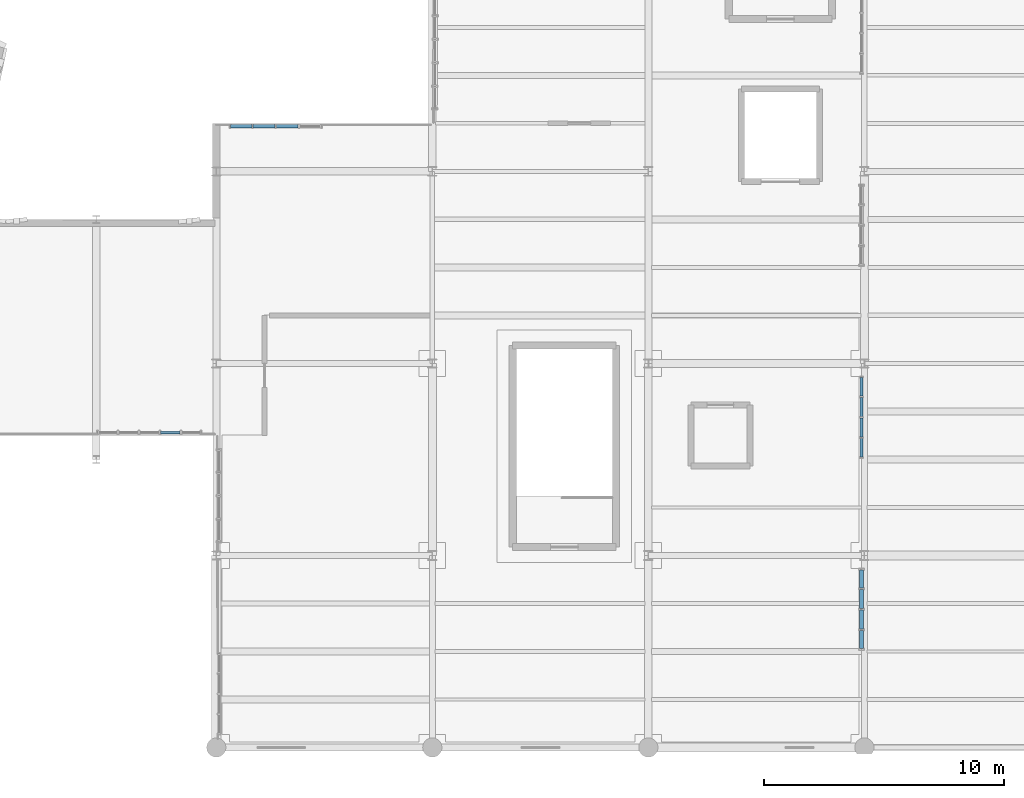
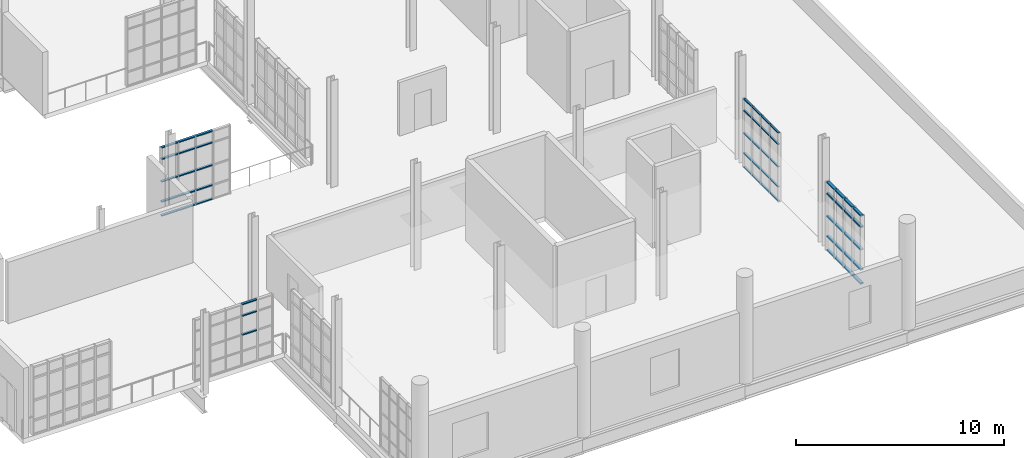
# One storey, part 77 of 118: 58 members, 4 elements without a shape of their own.
"""IFC4 building model written with IfcOpenShell, lengths in metres."""

from ifc_helpers import new_model, si_unit, direction, frame, origin, origin_2d, place, context, subcontext, project, spatial, hollow_rectangle, extrude, material, layer, layer_set, material_profile, profile_set, type_object, element, aggregate, save


model = new_model("IFC4")

# Units and contexts
model_context = context("Model", 3, precision=1e-05, world=origin(), true_north=direction((0.0, 1.0)))
body_context = subcontext(model_context, "Body", "Model", "MODEL_VIEW")
ifc_project = project(units=[si_unit("LENGTHUNIT", "METRE"), si_unit("AREAUNIT", "SQUARE_METRE"), si_unit("VOLUMEUNIT", "CUBIC_METRE"), si_unit("PLANEANGLEUNIT", "RADIAN"), si_unit("MASSUNIT", "GRAM", prefix="KILO"), si_unit("THERMODYNAMICTEMPERATUREUNIT", "KELVIN"), si_unit("POWERUNIT", "WATT")], contexts=[model_context])

# Site, building, storey
site_placement = place(None, origin())
site = spatial("IfcSite", under=ifc_project, at=site_placement, CompositionType="ELEMENT")
building_placement = place(site_placement, origin())
building = spatial("IfcBuilding", under=site, at=building_placement, Name="Zelmaris Science Centre", CompositionType="ELEMENT")
storey_placement = place(building_placement, frame((0.0, 0.0, 15.60009765625)))
storey = spatial("IfcBuildingStorey", under=building, at=storey_placement, Name="L03", CompositionType="ELEMENT", Elevation=15.60009765625)

# Curtain wall, members
ifc_material = material(Name="Anodised architectural aluminium 6063-T6", Category="aluminium")
ifc_layer_1 = layer(ifc_material, 0.219970703125, Name="Anodised architectural aluminium 6063-T6")
ifc_layer_set_1 = layer_set([ifc_layer_1], Name="Anodised architectural aluminium 6063-T6")
curtain_wall_type_1 = type_object("IfcCurtainWallType", Name="Curtain Wall CW-04", PredefinedType="USERDEFINED", material=ifc_layer_set_1)
curtain_wall_1_placement = place(storey_placement, origin())
curtain_wall_1 = element("IfcCurtainWall", 1, at=curtain_wall_1_placement, inside=storey, type_object=curtain_wall_type_1, Name="L03 Unitised curtain wall 304", ObjectType="GLAZED CURTAIN WALL", PredefinedType="USERDEFINED")
ifc_material_profile_1 = material_profile(ifc_material, hollow_rectangle(XDim=0.06005859375, YDim=0.110107421875, WallThickness=0.0029296875, at=origin_2d()), Name="ALU-TRN-60X110")
ifc_profile_set_1 = profile_set([ifc_material_profile_1], Name="Anodised architectural aluminium 6063-T6")
member_type_1 = type_object("IfcMemberType", Name="ALU-TRN-60X110", PredefinedType="USERDEFINED", material=ifc_profile_set_1)
member_1_placement = place(storey_placement, frame((134.8798828125, 23.407958984375, 0.010986328125), z_axis=(0.0, -1.0, 0.0), x_axis=(0.0, 0.0, 1.0)))
member_1 = element("IfcMember", 2, at=member_1_placement, type_object=member_type_1, Name="CW-04 transom 1.1", ObjectType="TRANSOM", PredefinedType="USERDEFINED", context=body_context, shape_type="SweptSolid", body=[
    extrude(hollow_rectangle(XDim=0.06005859375, YDim=0.110107421875, WallThickness=0.0029296875, at=origin_2d()), origin(), (0.0, 0.0, 1.0), 0.77197265625),
])
member_2_placement = place(storey_placement, frame((134.8798828125, 23.407958984375, 0.8349609375), z_axis=(0.0, -1.0, 0.0), x_axis=(0.0, 0.0, 1.0)))
member_2 = element("IfcMember", 3, at=member_2_placement, type_object=member_type_1, Name="CW-04 transom 1.2", ObjectType="TRANSOM", PredefinedType="USERDEFINED", context=body_context, shape_type="SweptSolid", body=[
    extrude(hollow_rectangle(XDim=0.06005859375, YDim=0.110107421875, WallThickness=0.0029296875, at=origin_2d()), origin(), (0.0, 0.0, 1.0), 0.77197265625),
])
member_3_placement = place(storey_placement, frame((134.8798828125, 23.407958984375, 2.00732421875), z_axis=(0.0, -1.0, 0.0), x_axis=(0.0, 0.0, 1.0)))
member_3 = element("IfcMember", 4, at=member_3_placement, type_object=member_type_1, Name="CW-04 transom 1.3", ObjectType="TRANSOM", PredefinedType="USERDEFINED", context=body_context, shape_type="SweptSolid", body=[
    extrude(hollow_rectangle(XDim=0.06005859375, YDim=0.110107421875, WallThickness=0.0029296875, at=origin_2d()), origin(), (0.0, 0.0, 1.0), 0.77197265625),
])
member_4_placement = place(storey_placement, frame((134.8798828125, 23.407958984375, 3.329833984375), z_axis=(0.0, -1.0, 0.0), x_axis=(0.0, 0.0, 1.0)))
member_4 = element("IfcMember", 5, at=member_4_placement, type_object=member_type_1, Name="CW-04 transom 1.4", ObjectType="TRANSOM", PredefinedType="USERDEFINED", context=body_context, shape_type="SweptSolid", body=[
    extrude(hollow_rectangle(XDim=0.06005859375, YDim=0.110107421875, WallThickness=0.0029296875, at=origin_2d()), origin(), (0.0, 0.0, 1.0), 0.77197265625),
])
member_5_placement = place(storey_placement, frame((134.8798828125, 23.407958984375, 4.00390625), z_axis=(0.0, -1.0, 0.0), x_axis=(0.0, 0.0, 1.0)))
member_5 = element("IfcMember", 6, at=member_5_placement, type_object=member_type_1, Name="CW-04 transom 1.5", ObjectType="TRANSOM", PredefinedType="USERDEFINED", context=body_context, shape_type="SweptSolid", body=[
    extrude(hollow_rectangle(XDim=0.06005859375, YDim=0.110107421875, WallThickness=0.0029296875, at=origin_2d()), origin(), (0.0, 0.0, 1.0), 0.77197265625),
])
member_6_placement = place(storey_placement, frame((134.8798828125, 22.583984375, 0.010986328125), z_axis=(0.0, -1.0, 0.0), x_axis=(0.0, 0.0, 1.0)))
member_6 = element("IfcMember", 7, at=member_6_placement, type_object=member_type_1, Name="CW-04 transom 2.1", ObjectType="TRANSOM", PredefinedType="USERDEFINED", context=body_context, shape_type="SweptSolid", body=[
    extrude(hollow_rectangle(XDim=0.06005859375, YDim=0.110107421875, WallThickness=0.0029296875, at=origin_2d()), origin(), (0.0, 0.0, 1.0), 0.798095703125),
])
member_7_placement = place(storey_placement, frame((134.8798828125, 22.583984375, 0.8349609375), z_axis=(0.0, -1.0, 0.0), x_axis=(0.0, 0.0, 1.0)))
member_7 = element("IfcMember", 8, at=member_7_placement, type_object=member_type_1, Name="CW-04 transom 2.2", ObjectType="TRANSOM", PredefinedType="USERDEFINED", context=body_context, shape_type="SweptSolid", body=[
    extrude(hollow_rectangle(XDim=0.06005859375, YDim=0.110107421875, WallThickness=0.0029296875, at=origin_2d()), origin(), (0.0, 0.0, 1.0), 0.798095703125),
])
member_8_placement = place(storey_placement, frame((134.8798828125, 22.583984375, 2.00732421875), z_axis=(0.0, -1.0, 0.0), x_axis=(0.0, 0.0, 1.0)))
member_8 = element("IfcMember", 9, at=member_8_placement, type_object=member_type_1, Name="CW-04 transom 2.3", ObjectType="TRANSOM", PredefinedType="USERDEFINED", context=body_context, shape_type="SweptSolid", body=[
    extrude(hollow_rectangle(XDim=0.06005859375, YDim=0.110107421875, WallThickness=0.0029296875, at=origin_2d()), origin(), (0.0, 0.0, 1.0), 0.798095703125),
])
member_9_placement = place(storey_placement, frame((134.8798828125, 22.583984375, 3.329833984375), z_axis=(0.0, -1.0, 0.0), x_axis=(0.0, 0.0, 1.0)))
member_9 = element("IfcMember", 10, at=member_9_placement, type_object=member_type_1, Name="CW-04 transom 2.4", ObjectType="TRANSOM", PredefinedType="USERDEFINED", context=body_context, shape_type="SweptSolid", body=[
    extrude(hollow_rectangle(XDim=0.06005859375, YDim=0.110107421875, WallThickness=0.0029296875, at=origin_2d()), origin(), (0.0, 0.0, 1.0), 0.798095703125),
])
member_10_placement = place(storey_placement, frame((134.8798828125, 22.583984375, 4.00390625), z_axis=(0.0, -1.0, 0.0), x_axis=(0.0, 0.0, 1.0)))
member_10 = element("IfcMember", 11, at=member_10_placement, type_object=member_type_1, Name="CW-04 transom 2.5", ObjectType="TRANSOM", PredefinedType="USERDEFINED", context=body_context, shape_type="SweptSolid", body=[
    extrude(hollow_rectangle(XDim=0.06005859375, YDim=0.110107421875, WallThickness=0.0029296875, at=origin_2d()), origin(), (0.0, 0.0, 1.0), 0.798095703125),
])
member_11_placement = place(storey_placement, frame((134.8798828125, 21.73388671875, 0.010986328125), z_axis=(0.0, -1.0, 0.0), x_axis=(0.0, 0.0, 1.0)))
member_11 = element("IfcMember", 12, at=member_11_placement, type_object=member_type_1, Name="CW-04 transom 3.1", ObjectType="TRANSOM", PredefinedType="USERDEFINED", context=body_context, shape_type="SweptSolid", body=[
    extrude(hollow_rectangle(XDim=0.06005859375, YDim=0.110107421875, WallThickness=0.0029296875, at=origin_2d()), origin(), (0.0, 0.0, 1.0), 0.7978515625),
])
member_12_placement = place(storey_placement, frame((134.8798828125, 21.73388671875, 0.8349609375), z_axis=(0.0, -1.0, 0.0), x_axis=(0.0, 0.0, 1.0)))
member_12 = element("IfcMember", 13, at=member_12_placement, type_object=member_type_1, Name="CW-04 transom 3.2", ObjectType="TRANSOM", PredefinedType="USERDEFINED", context=body_context, shape_type="SweptSolid", body=[
    extrude(hollow_rectangle(XDim=0.06005859375, YDim=0.110107421875, WallThickness=0.0029296875, at=origin_2d()), origin(), (0.0, 0.0, 1.0), 0.7978515625),
])
member_13_placement = place(storey_placement, frame((134.8798828125, 21.73388671875, 2.00732421875), z_axis=(0.0, -1.0, 0.0), x_axis=(0.0, 0.0, 1.0)))
member_13 = element("IfcMember", 14, at=member_13_placement, type_object=member_type_1, Name="CW-04 transom 3.3", ObjectType="TRANSOM", PredefinedType="USERDEFINED", context=body_context, shape_type="SweptSolid", body=[
    extrude(hollow_rectangle(XDim=0.06005859375, YDim=0.110107421875, WallThickness=0.0029296875, at=origin_2d()), origin(), (0.0, 0.0, 1.0), 0.7978515625),
])
member_14_placement = place(storey_placement, frame((134.8798828125, 21.73388671875, 3.329833984375), z_axis=(0.0, -1.0, 0.0), x_axis=(0.0, 0.0, 1.0)))
member_14 = element("IfcMember", 15, at=member_14_placement, type_object=member_type_1, Name="CW-04 transom 3.4", ObjectType="TRANSOM", PredefinedType="USERDEFINED", context=body_context, shape_type="SweptSolid", body=[
    extrude(hollow_rectangle(XDim=0.06005859375, YDim=0.110107421875, WallThickness=0.0029296875, at=origin_2d()), origin(), (0.0, 0.0, 1.0), 0.7978515625),
])
member_15_placement = place(storey_placement, frame((134.8798828125, 21.73388671875, 4.00390625), z_axis=(0.0, -1.0, 0.0), x_axis=(0.0, 0.0, 1.0)))
member_15 = element("IfcMember", 16, at=member_15_placement, type_object=member_type_1, Name="CW-04 transom 3.5", ObjectType="TRANSOM", PredefinedType="USERDEFINED", context=body_context, shape_type="SweptSolid", body=[
    extrude(hollow_rectangle(XDim=0.06005859375, YDim=0.110107421875, WallThickness=0.0029296875, at=origin_2d()), origin(), (0.0, 0.0, 1.0), 0.7978515625),
])
member_16_placement = place(storey_placement, frame((134.8798828125, 20.884033203125, 0.010986328125), z_axis=(0.0, -1.0, 0.0), x_axis=(0.0, 0.0, 1.0)))
member_16 = element("IfcMember", 17, at=member_16_placement, type_object=member_type_1, Name="CW-04 transom 4.1", ObjectType="TRANSOM", PredefinedType="USERDEFINED", context=body_context, shape_type="SweptSolid", body=[
    extrude(hollow_rectangle(XDim=0.06005859375, YDim=0.110107421875, WallThickness=0.0029296875, at=origin_2d()), origin(), (0.0, 0.0, 1.0), 0.77197265625),
])
member_17_placement = place(storey_placement, frame((134.8798828125, 20.884033203125, 0.8349609375), z_axis=(0.0, -1.0, 0.0), x_axis=(0.0, 0.0, 1.0)))
member_17 = element("IfcMember", 18, at=member_17_placement, type_object=member_type_1, Name="CW-04 transom 4.2", ObjectType="TRANSOM", PredefinedType="USERDEFINED", context=body_context, shape_type="SweptSolid", body=[
    extrude(hollow_rectangle(XDim=0.06005859375, YDim=0.110107421875, WallThickness=0.0029296875, at=origin_2d()), origin(), (0.0, 0.0, 1.0), 0.77197265625),
])
member_18_placement = place(storey_placement, frame((134.8798828125, 20.884033203125, 2.00732421875), z_axis=(0.0, -1.0, 0.0), x_axis=(0.0, 0.0, 1.0)))
member_18 = element("IfcMember", 19, at=member_18_placement, type_object=member_type_1, Name="CW-04 transom 4.3", ObjectType="TRANSOM", PredefinedType="USERDEFINED", context=body_context, shape_type="SweptSolid", body=[
    extrude(hollow_rectangle(XDim=0.06005859375, YDim=0.110107421875, WallThickness=0.0029296875, at=origin_2d()), origin(), (0.0, 0.0, 1.0), 0.77197265625),
])
member_19_placement = place(storey_placement, frame((134.8798828125, 20.884033203125, 3.329833984375), z_axis=(0.0, -1.0, 0.0), x_axis=(0.0, 0.0, 1.0)))
member_19 = element("IfcMember", 20, at=member_19_placement, type_object=member_type_1, Name="CW-04 transom 4.4", ObjectType="TRANSOM", PredefinedType="USERDEFINED", context=body_context, shape_type="SweptSolid", body=[
    extrude(hollow_rectangle(XDim=0.06005859375, YDim=0.110107421875, WallThickness=0.0029296875, at=origin_2d()), origin(), (0.0, 0.0, 1.0), 0.77197265625),
])
member_20_placement = place(storey_placement, frame((134.8798828125, 20.884033203125, 4.00390625), z_axis=(0.0, -1.0, 0.0), x_axis=(0.0, 0.0, 1.0)))
member_20 = element("IfcMember", 21, at=member_20_placement, type_object=member_type_1, Name="CW-04 transom 4.5", ObjectType="TRANSOM", PredefinedType="USERDEFINED", context=body_context, shape_type="SweptSolid", body=[
    extrude(hollow_rectangle(XDim=0.06005859375, YDim=0.110107421875, WallThickness=0.0029296875, at=origin_2d()), origin(), (0.0, 0.0, 1.0), 0.77197265625),
])
aggregate(curtain_wall_1, [member_1, member_2, member_3, member_4, member_5, member_6, member_7, member_8, member_9, member_10, member_11, member_12, member_13, member_14, member_15, member_16, member_17, member_18, member_19, member_20])

ifc_layer_2 = layer(ifc_material, 0.2099609375, Name="Anodised architectural aluminium 6063-T6")
ifc_layer_set_2 = layer_set([ifc_layer_2], Name="Anodised architectural aluminium 6063-T6")
curtain_wall_type_2 = type_object("IfcCurtainWallType", Name="Curtain Wall CW-03", PredefinedType="USERDEFINED", material=ifc_layer_set_2)
curtain_wall_2_placement = place(storey_placement, origin())
curtain_wall_2 = element("IfcCurtainWall", 22, at=curtain_wall_2_placement, inside=storey, type_object=curtain_wall_type_2, Name="L03 Unitised curtain wall 311", ObjectType="GLAZED CURTAIN WALL", PredefinedType="USERDEFINED")
ifc_material_profile_2 = material_profile(ifc_material, hollow_rectangle(XDim=0.06494140625, YDim=0.1298828125, WallThickness=0.00341796875, at=origin_2d()), Name="ALU-TRN-65X130")
ifc_profile_set_2 = profile_set([ifc_material_profile_2], Name="Anodised architectural aluminium 6063-T6")
member_type_2 = type_object("IfcMemberType", Name="ALU-TRN-65X130", PredefinedType="USERDEFINED", material=ifc_profile_set_2)
member_21_placement = place(storey_placement, frame((106.496826171875, 21.1201171875, 1.79296875), z_axis=(-1.0, 0.0, 0.0), x_axis=(0.0, 0.0, 1.0)))
member_21 = element("IfcMember", 23, at=member_21_placement, type_object=member_type_2, Name="CW-03 transom 2.3", ObjectType="TRANSOM", PredefinedType="USERDEFINED", context=body_context, shape_type="SweptSolid", body=[
    extrude(hollow_rectangle(XDim=0.06494140625, YDim=0.1298828125, WallThickness=0.00341796875, at=origin_2d()), origin(), (0.0, 0.0, 1.0), 0.817626953125),
])
member_22_placement = place(storey_placement, frame((106.496826171875, 21.1201171875, 2.90087890625), z_axis=(-1.0, 0.0, 0.0), x_axis=(0.0, 0.0, 1.0)))
member_22 = element("IfcMember", 24, at=member_22_placement, type_object=member_type_2, Name="CW-03 transom 2.4", ObjectType="TRANSOM", PredefinedType="USERDEFINED", context=body_context, shape_type="SweptSolid", body=[
    extrude(hollow_rectangle(XDim=0.06494140625, YDim=0.1298828125, WallThickness=0.00341796875, at=origin_2d()), origin(), (0.0, 0.0, 1.0), 0.817626953125),
])
member_23_placement = place(storey_placement, frame((106.496826171875, 21.1201171875, 3.572509765625), z_axis=(-1.0, 0.0, 0.0), x_axis=(0.0, 0.0, 1.0)))
member_23 = element("IfcMember", 25, at=member_23_placement, type_object=member_type_2, Name="CW-03 transom 2.5", ObjectType="TRANSOM", PredefinedType="USERDEFINED", context=body_context, shape_type="SweptSolid", body=[
    extrude(hollow_rectangle(XDim=0.06494140625, YDim=0.1298828125, WallThickness=0.00341796875, at=origin_2d()), origin(), (0.0, 0.0, 1.0), 0.817626953125),
])
aggregate(curtain_wall_2, [member_21, member_22, member_23])

curtain_wall_3_placement = place(storey_placement, origin())
curtain_wall_3 = element("IfcCurtainWall", 26, at=curtain_wall_3_placement, inside=storey, type_object=curtain_wall_type_2, Name="L03 Unitised curtain wall 323", ObjectType="GLAZED CURTAIN WALL", PredefinedType="USERDEFINED")
member_24_placement = place(storey_placement, frame((108.59716796875, 33.8798828125, 0.013427734375), z_axis=(1.0, 0.0, 0.0), x_axis=(0.0, 0.0, 1.0)))
member_24 = element("IfcMember", 27, at=member_24_placement, type_object=member_type_2, Name="CW-03 transom 1.1", ObjectType="TRANSOM", PredefinedType="USERDEFINED", context=body_context, shape_type="SweptSolid", body=[
    extrude(hollow_rectangle(XDim=0.06494140625, YDim=0.1298828125, WallThickness=0.00341796875, at=origin_2d()), origin(), (0.0, 0.0, 1.0), 0.8818359375),
])
member_25_placement = place(storey_placement, frame((108.59716796875, 33.8798828125, 0.8349609375), z_axis=(1.0, 0.0, 0.0), x_axis=(0.0, 0.0, 1.0)))
member_25 = element("IfcMember", 28, at=member_25_placement, type_object=member_type_2, Name="CW-03 transom 1.2", ObjectType="TRANSOM", PredefinedType="USERDEFINED", context=body_context, shape_type="SweptSolid", body=[
    extrude(hollow_rectangle(XDim=0.06494140625, YDim=0.1298828125, WallThickness=0.00341796875, at=origin_2d()), origin(), (0.0, 0.0, 1.0), 0.8818359375),
])
member_26_placement = place(storey_placement, frame((108.59716796875, 33.8798828125, 2.00732421875), z_axis=(1.0, 0.0, 0.0), x_axis=(0.0, 0.0, 1.0)))
member_26 = element("IfcMember", 29, at=member_26_placement, type_object=member_type_2, Name="CW-03 transom 1.3", ObjectType="TRANSOM", PredefinedType="USERDEFINED", context=body_context, shape_type="SweptSolid", body=[
    extrude(hollow_rectangle(XDim=0.06494140625, YDim=0.1298828125, WallThickness=0.00341796875, at=origin_2d()), origin(), (0.0, 0.0, 1.0), 0.8818359375),
])
member_27_placement = place(storey_placement, frame((108.59716796875, 33.8798828125, 3.329833984375), z_axis=(1.0, 0.0, 0.0), x_axis=(0.0, 0.0, 1.0)))
member_27 = element("IfcMember", 30, at=member_27_placement, type_object=member_type_2, Name="CW-03 transom 1.4", ObjectType="TRANSOM", PredefinedType="USERDEFINED", context=body_context, shape_type="SweptSolid", body=[
    extrude(hollow_rectangle(XDim=0.06494140625, YDim=0.1298828125, WallThickness=0.00341796875, at=origin_2d()), origin(), (0.0, 0.0, 1.0), 0.8818359375),
])
member_28_placement = place(storey_placement, frame((108.59716796875, 33.8798828125, 4.00146484375), z_axis=(1.0, 0.0, 0.0), x_axis=(0.0, 0.0, 1.0)))
member_28 = element("IfcMember", 31, at=member_28_placement, type_object=member_type_2, Name="CW-03 transom 1.5", ObjectType="TRANSOM", PredefinedType="USERDEFINED", context=body_context, shape_type="SweptSolid", body=[
    extrude(hollow_rectangle(XDim=0.06494140625, YDim=0.1298828125, WallThickness=0.00341796875, at=origin_2d()), origin(), (0.0, 0.0, 1.0), 0.8818359375),
])
member_29_placement = place(storey_placement, frame((109.5361328125, 33.8798828125, 0.013427734375), z_axis=(1.0, 0.0, 0.0), x_axis=(0.0, 0.0, 1.0)))
member_29 = element("IfcMember", 32, at=member_29_placement, type_object=member_type_2, Name="CW-03 transom 2.1", ObjectType="TRANSOM", PredefinedType="USERDEFINED", context=body_context, shape_type="SweptSolid", body=[
    extrude(hollow_rectangle(XDim=0.06494140625, YDim=0.1298828125, WallThickness=0.00341796875, at=origin_2d()), origin(), (0.0, 0.0, 1.0), 0.910400390625),
])
member_30_placement = place(storey_placement, frame((109.5361328125, 33.8798828125, 0.8349609375), z_axis=(1.0, 0.0, 0.0), x_axis=(0.0, 0.0, 1.0)))
member_30 = element("IfcMember", 33, at=member_30_placement, type_object=member_type_2, Name="CW-03 transom 2.2", ObjectType="TRANSOM", PredefinedType="USERDEFINED", context=body_context, shape_type="SweptSolid", body=[
    extrude(hollow_rectangle(XDim=0.06494140625, YDim=0.1298828125, WallThickness=0.00341796875, at=origin_2d()), origin(), (0.0, 0.0, 1.0), 0.910400390625),
])
member_31_placement = place(storey_placement, frame((109.5361328125, 33.8798828125, 2.00732421875), z_axis=(1.0, 0.0, 0.0), x_axis=(0.0, 0.0, 1.0)))
member_31 = element("IfcMember", 34, at=member_31_placement, type_object=member_type_2, Name="CW-03 transom 2.3", ObjectType="TRANSOM", PredefinedType="USERDEFINED", context=body_context, shape_type="SweptSolid", body=[
    extrude(hollow_rectangle(XDim=0.06494140625, YDim=0.1298828125, WallThickness=0.00341796875, at=origin_2d()), origin(), (0.0, 0.0, 1.0), 0.910400390625),
])
member_32_placement = place(storey_placement, frame((109.5361328125, 33.8798828125, 3.329833984375), z_axis=(1.0, 0.0, 0.0), x_axis=(0.0, 0.0, 1.0)))
member_32 = element("IfcMember", 35, at=member_32_placement, type_object=member_type_2, Name="CW-03 transom 2.4", ObjectType="TRANSOM", PredefinedType="USERDEFINED", context=body_context, shape_type="SweptSolid", body=[
    extrude(hollow_rectangle(XDim=0.06494140625, YDim=0.1298828125, WallThickness=0.00341796875, at=origin_2d()), origin(), (0.0, 0.0, 1.0), 0.910400390625),
])
member_33_placement = place(storey_placement, frame((109.5361328125, 33.8798828125, 4.00146484375), z_axis=(1.0, 0.0, 0.0), x_axis=(0.0, 0.0, 1.0)))
member_33 = element("IfcMember", 36, at=member_33_placement, type_object=member_type_2, Name="CW-03 transom 2.5", ObjectType="TRANSOM", PredefinedType="USERDEFINED", context=body_context, shape_type="SweptSolid", body=[
    extrude(hollow_rectangle(XDim=0.06494140625, YDim=0.1298828125, WallThickness=0.00341796875, at=origin_2d()), origin(), (0.0, 0.0, 1.0), 0.910400390625),
])
member_34_placement = place(storey_placement, frame((110.503662109375, 33.8798828125, 0.013427734375), z_axis=(1.0, 0.0, 0.0), x_axis=(0.0, 0.0, 1.0)))
member_34 = element("IfcMember", 37, at=member_34_placement, type_object=member_type_2, Name="CW-03 transom 3.1", ObjectType="TRANSOM", PredefinedType="USERDEFINED", context=body_context, shape_type="SweptSolid", body=[
    extrude(hollow_rectangle(XDim=0.06494140625, YDim=0.1298828125, WallThickness=0.00341796875, at=origin_2d()), origin(), (0.0, 0.0, 1.0), 0.910400390625),
])
member_35_placement = place(storey_placement, frame((110.503662109375, 33.8798828125, 0.8349609375), z_axis=(1.0, 0.0, 0.0), x_axis=(0.0, 0.0, 1.0)))
member_35 = element("IfcMember", 38, at=member_35_placement, type_object=member_type_2, Name="CW-03 transom 3.2", ObjectType="TRANSOM", PredefinedType="USERDEFINED", context=body_context, shape_type="SweptSolid", body=[
    extrude(hollow_rectangle(XDim=0.06494140625, YDim=0.1298828125, WallThickness=0.00341796875, at=origin_2d()), origin(), (0.0, 0.0, 1.0), 0.910400390625),
])
member_36_placement = place(storey_placement, frame((110.503662109375, 33.8798828125, 2.00732421875), z_axis=(1.0, 0.0, 0.0), x_axis=(0.0, 0.0, 1.0)))
member_36 = element("IfcMember", 39, at=member_36_placement, type_object=member_type_2, Name="CW-03 transom 3.3", ObjectType="TRANSOM", PredefinedType="USERDEFINED", context=body_context, shape_type="SweptSolid", body=[
    extrude(hollow_rectangle(XDim=0.06494140625, YDim=0.1298828125, WallThickness=0.00341796875, at=origin_2d()), origin(), (0.0, 0.0, 1.0), 0.910400390625),
])
member_37_placement = place(storey_placement, frame((110.503662109375, 33.8798828125, 3.329833984375), z_axis=(1.0, 0.0, 0.0), x_axis=(0.0, 0.0, 1.0)))
member_37 = element("IfcMember", 40, at=member_37_placement, type_object=member_type_2, Name="CW-03 transom 3.4", ObjectType="TRANSOM", PredefinedType="USERDEFINED", context=body_context, shape_type="SweptSolid", body=[
    extrude(hollow_rectangle(XDim=0.06494140625, YDim=0.1298828125, WallThickness=0.00341796875, at=origin_2d()), origin(), (0.0, 0.0, 1.0), 0.910400390625),
])
member_38_placement = place(storey_placement, frame((110.503662109375, 33.8798828125, 4.00146484375), z_axis=(1.0, 0.0, 0.0), x_axis=(0.0, 0.0, 1.0)))
member_38 = element("IfcMember", 41, at=member_38_placement, type_object=member_type_2, Name="CW-03 transom 3.5", ObjectType="TRANSOM", PredefinedType="USERDEFINED", context=body_context, shape_type="SweptSolid", body=[
    extrude(hollow_rectangle(XDim=0.06494140625, YDim=0.1298828125, WallThickness=0.00341796875, at=origin_2d()), origin(), (0.0, 0.0, 1.0), 0.910400390625),
])
aggregate(curtain_wall_3, [member_24, member_25, member_26, member_27, member_28, member_29, member_30, member_31, member_32, member_33, member_34, member_35, member_36, member_37, member_38])

ifc_layer_3 = layer(ifc_material, 0.199951171875, Name="Anodised architectural aluminium 6063-T6")
ifc_layer_set_3 = layer_set([ifc_layer_3], Name="Anodised architectural aluminium 6063-T6")
curtain_wall_type_3 = type_object("IfcCurtainWallType", Name="Curtain Wall CW-02", PredefinedType="USERDEFINED", material=ifc_layer_set_3)
curtain_wall_4_placement = place(storey_placement, origin())
curtain_wall_4 = element("IfcCurtainWall", 42, at=curtain_wall_4_placement, inside=storey, type_object=curtain_wall_type_3, Name="L03 Unitised curtain wall 306", ObjectType="GLAZED CURTAIN WALL", PredefinedType="USERDEFINED")
ifc_material_profile_3 = material_profile(ifc_material, hollow_rectangle(XDim=0.074951171875, YDim=0.159912109375, WallThickness=0.00390625, at=origin_2d()), Name="ALU-TRN-75X160")
ifc_profile_set_3 = profile_set([ifc_material_profile_3], Name="Anodised architectural aluminium 6063-T6")
member_type_3 = type_object("IfcMemberType", Name="ALU-TRN-75X160", PredefinedType="USERDEFINED", material=ifc_profile_set_3)
member_39_placement = place(storey_placement, frame((134.8798828125, 15.39306640625, 0.018310546875), z_axis=(0.0, -1.0, 0.0), x_axis=(0.0, 0.0, 1.0)))
member_39 = element("IfcMember", 43, at=member_39_placement, type_object=member_type_3, Name="CW-02 transom 1.1", ObjectType="TRANSOM", PredefinedType="USERDEFINED", context=body_context, shape_type="SweptSolid", body=[
    extrude(hollow_rectangle(XDim=0.074951171875, YDim=0.159912109375, WallThickness=0.00390625, at=origin_2d()), origin(), (0.0, 0.0, 1.0), 0.74951171875),
])
member_40_placement = place(storey_placement, frame((134.8798828125, 15.39306640625, 0.8349609375), z_axis=(0.0, -1.0, 0.0), x_axis=(0.0, 0.0, 1.0)))
member_40 = element("IfcMember", 44, at=member_40_placement, type_object=member_type_3, Name="CW-02 transom 1.2", ObjectType="TRANSOM", PredefinedType="USERDEFINED", context=body_context, shape_type="SweptSolid", body=[
    extrude(hollow_rectangle(XDim=0.074951171875, YDim=0.159912109375, WallThickness=0.00390625, at=origin_2d()), origin(), (0.0, 0.0, 1.0), 0.74951171875),
])
member_41_placement = place(storey_placement, frame((134.8798828125, 15.39306640625, 2.00732421875), z_axis=(0.0, -1.0, 0.0), x_axis=(0.0, 0.0, 1.0)))
member_41 = element("IfcMember", 45, at=member_41_placement, type_object=member_type_3, Name="CW-02 transom 1.3", ObjectType="TRANSOM", PredefinedType="USERDEFINED", context=body_context, shape_type="SweptSolid", body=[
    extrude(hollow_rectangle(XDim=0.074951171875, YDim=0.159912109375, WallThickness=0.00390625, at=origin_2d()), origin(), (0.0, 0.0, 1.0), 0.74951171875),
])
member_42_placement = place(storey_placement, frame((134.8798828125, 15.39306640625, 3.329833984375), z_axis=(0.0, -1.0, 0.0), x_axis=(0.0, 0.0, 1.0)))
member_42 = element("IfcMember", 46, at=member_42_placement, type_object=member_type_3, Name="CW-02 transom 1.4", ObjectType="TRANSOM", PredefinedType="USERDEFINED", context=body_context, shape_type="SweptSolid", body=[
    extrude(hollow_rectangle(XDim=0.074951171875, YDim=0.159912109375, WallThickness=0.00390625, at=origin_2d()), origin(), (0.0, 0.0, 1.0), 0.74951171875),
])
member_43_placement = place(storey_placement, frame((134.8798828125, 15.39306640625, 3.996337890625), z_axis=(0.0, -1.0, 0.0), x_axis=(0.0, 0.0, 1.0)))
member_43 = element("IfcMember", 47, at=member_43_placement, type_object=member_type_3, Name="CW-02 transom 1.5", ObjectType="TRANSOM", PredefinedType="USERDEFINED", context=body_context, shape_type="SweptSolid", body=[
    extrude(hollow_rectangle(XDim=0.074951171875, YDim=0.159912109375, WallThickness=0.00390625, at=origin_2d()), origin(), (0.0, 0.0, 1.0), 0.74951171875),
])
member_44_placement = place(storey_placement, frame((134.8798828125, 14.576416015625, 0.018310546875), z_axis=(0.0, -1.0, 0.0), x_axis=(0.0, 0.0, 1.0)))
member_44 = element("IfcMember", 48, at=member_44_placement, type_object=member_type_3, Name="CW-02 transom 2.1", ObjectType="TRANSOM", PredefinedType="USERDEFINED", context=body_context, shape_type="SweptSolid", body=[
    extrude(hollow_rectangle(XDim=0.074951171875, YDim=0.159912109375, WallThickness=0.00390625, at=origin_2d()), origin(), (0.0, 0.0, 1.0), 0.782958984375),
])
member_45_placement = place(storey_placement, frame((134.8798828125, 14.576416015625, 0.8349609375), z_axis=(0.0, -1.0, 0.0), x_axis=(0.0, 0.0, 1.0)))
member_45 = element("IfcMember", 49, at=member_45_placement, type_object=member_type_3, Name="CW-02 transom 2.2", ObjectType="TRANSOM", PredefinedType="USERDEFINED", context=body_context, shape_type="SweptSolid", body=[
    extrude(hollow_rectangle(XDim=0.074951171875, YDim=0.159912109375, WallThickness=0.00390625, at=origin_2d()), origin(), (0.0, 0.0, 1.0), 0.782958984375),
])
member_46_placement = place(storey_placement, frame((134.8798828125, 14.576416015625, 2.00732421875), z_axis=(0.0, -1.0, 0.0), x_axis=(0.0, 0.0, 1.0)))
member_46 = element("IfcMember", 50, at=member_46_placement, type_object=member_type_3, Name="CW-02 transom 2.3", ObjectType="TRANSOM", PredefinedType="USERDEFINED", context=body_context, shape_type="SweptSolid", body=[
    extrude(hollow_rectangle(XDim=0.074951171875, YDim=0.159912109375, WallThickness=0.00390625, at=origin_2d()), origin(), (0.0, 0.0, 1.0), 0.782958984375),
])
member_47_placement = place(storey_placement, frame((134.8798828125, 14.576416015625, 3.329833984375), z_axis=(0.0, -1.0, 0.0), x_axis=(0.0, 0.0, 1.0)))
member_47 = element("IfcMember", 51, at=member_47_placement, type_object=member_type_3, Name="CW-02 transom 2.4", ObjectType="TRANSOM", PredefinedType="USERDEFINED", context=body_context, shape_type="SweptSolid", body=[
    extrude(hollow_rectangle(XDim=0.074951171875, YDim=0.159912109375, WallThickness=0.00390625, at=origin_2d()), origin(), (0.0, 0.0, 1.0), 0.782958984375),
])
member_48_placement = place(storey_placement, frame((134.8798828125, 14.576416015625, 3.996337890625), z_axis=(0.0, -1.0, 0.0), x_axis=(0.0, 0.0, 1.0)))
member_48 = element("IfcMember", 52, at=member_48_placement, type_object=member_type_3, Name="CW-02 transom 2.5", ObjectType="TRANSOM", PredefinedType="USERDEFINED", context=body_context, shape_type="SweptSolid", body=[
    extrude(hollow_rectangle(XDim=0.074951171875, YDim=0.159912109375, WallThickness=0.00390625, at=origin_2d()), origin(), (0.0, 0.0, 1.0), 0.782958984375),
])
member_49_placement = place(storey_placement, frame((134.8798828125, 13.7265625, 0.018310546875), z_axis=(0.0, -1.0, 0.0), x_axis=(0.0, 0.0, 1.0)))
member_49 = element("IfcMember", 53, at=member_49_placement, type_object=member_type_3, Name="CW-02 transom 3.1", ObjectType="TRANSOM", PredefinedType="USERDEFINED", context=body_context, shape_type="SweptSolid", body=[
    extrude(hollow_rectangle(XDim=0.074951171875, YDim=0.159912109375, WallThickness=0.00390625, at=origin_2d()), origin(), (0.0, 0.0, 1.0), 0.782958984375),
])
member_50_placement = place(storey_placement, frame((134.8798828125, 13.7265625, 0.8349609375), z_axis=(0.0, -1.0, 0.0), x_axis=(0.0, 0.0, 1.0)))
member_50 = element("IfcMember", 54, at=member_50_placement, type_object=member_type_3, Name="CW-02 transom 3.2", ObjectType="TRANSOM", PredefinedType="USERDEFINED", context=body_context, shape_type="SweptSolid", body=[
    extrude(hollow_rectangle(XDim=0.074951171875, YDim=0.159912109375, WallThickness=0.00390625, at=origin_2d()), origin(), (0.0, 0.0, 1.0), 0.782958984375),
])
member_51_placement = place(storey_placement, frame((134.8798828125, 13.7265625, 2.00732421875), z_axis=(0.0, -1.0, 0.0), x_axis=(0.0, 0.0, 1.0)))
member_51 = element("IfcMember", 55, at=member_51_placement, type_object=member_type_3, Name="CW-02 transom 3.3", ObjectType="TRANSOM", PredefinedType="USERDEFINED", context=body_context, shape_type="SweptSolid", body=[
    extrude(hollow_rectangle(XDim=0.074951171875, YDim=0.159912109375, WallThickness=0.00390625, at=origin_2d()), origin(), (0.0, 0.0, 1.0), 0.782958984375),
])
member_52_placement = place(storey_placement, frame((134.8798828125, 13.7265625, 3.329833984375), z_axis=(0.0, -1.0, 0.0), x_axis=(0.0, 0.0, 1.0)))
member_52 = element("IfcMember", 56, at=member_52_placement, type_object=member_type_3, Name="CW-02 transom 3.4", ObjectType="TRANSOM", PredefinedType="USERDEFINED", context=body_context, shape_type="SweptSolid", body=[
    extrude(hollow_rectangle(XDim=0.074951171875, YDim=0.159912109375, WallThickness=0.00390625, at=origin_2d()), origin(), (0.0, 0.0, 1.0), 0.782958984375),
])
member_53_placement = place(storey_placement, frame((134.8798828125, 13.7265625, 3.996337890625), z_axis=(0.0, -1.0, 0.0), x_axis=(0.0, 0.0, 1.0)))
member_53 = element("IfcMember", 57, at=member_53_placement, type_object=member_type_3, Name="CW-02 transom 3.5", ObjectType="TRANSOM", PredefinedType="USERDEFINED", context=body_context, shape_type="SweptSolid", body=[
    extrude(hollow_rectangle(XDim=0.074951171875, YDim=0.159912109375, WallThickness=0.00390625, at=origin_2d()), origin(), (0.0, 0.0, 1.0), 0.782958984375),
])
member_54_placement = place(storey_placement, frame((134.8798828125, 12.87646484375, 0.018310546875), z_axis=(0.0, -1.0, 0.0), x_axis=(0.0, 0.0, 1.0)))
member_54 = element("IfcMember", 58, at=member_54_placement, type_object=member_type_3, Name="CW-02 transom 4.1", ObjectType="TRANSOM", PredefinedType="USERDEFINED", context=body_context, shape_type="SweptSolid", body=[
    extrude(hollow_rectangle(XDim=0.074951171875, YDim=0.159912109375, WallThickness=0.00390625, at=origin_2d()), origin(), (0.0, 0.0, 1.0), 0.74951171875),
])
member_55_placement = place(storey_placement, frame((134.8798828125, 12.87646484375, 0.8349609375), z_axis=(0.0, -1.0, 0.0), x_axis=(0.0, 0.0, 1.0)))
member_55 = element("IfcMember", 59, at=member_55_placement, type_object=member_type_3, Name="CW-02 transom 4.2", ObjectType="TRANSOM", PredefinedType="USERDEFINED", context=body_context, shape_type="SweptSolid", body=[
    extrude(hollow_rectangle(XDim=0.074951171875, YDim=0.159912109375, WallThickness=0.00390625, at=origin_2d()), origin(), (0.0, 0.0, 1.0), 0.74951171875),
])
member_56_placement = place(storey_placement, frame((134.8798828125, 12.87646484375, 2.00732421875), z_axis=(0.0, -1.0, 0.0), x_axis=(0.0, 0.0, 1.0)))
member_56 = element("IfcMember", 60, at=member_56_placement, type_object=member_type_3, Name="CW-02 transom 4.3", ObjectType="TRANSOM", PredefinedType="USERDEFINED", context=body_context, shape_type="SweptSolid", body=[
    extrude(hollow_rectangle(XDim=0.074951171875, YDim=0.159912109375, WallThickness=0.00390625, at=origin_2d()), origin(), (0.0, 0.0, 1.0), 0.74951171875),
])
member_57_placement = place(storey_placement, frame((134.8798828125, 12.87646484375, 3.329833984375), z_axis=(0.0, -1.0, 0.0), x_axis=(0.0, 0.0, 1.0)))
member_57 = element("IfcMember", 61, at=member_57_placement, type_object=member_type_3, Name="CW-02 transom 4.4", ObjectType="TRANSOM", PredefinedType="USERDEFINED", context=body_context, shape_type="SweptSolid", body=[
    extrude(hollow_rectangle(XDim=0.074951171875, YDim=0.159912109375, WallThickness=0.00390625, at=origin_2d()), origin(), (0.0, 0.0, 1.0), 0.74951171875),
])
member_58_placement = place(storey_placement, frame((134.8798828125, 12.87646484375, 3.996337890625), z_axis=(0.0, -1.0, 0.0), x_axis=(0.0, 0.0, 1.0)))
member_58 = element("IfcMember", 62, at=member_58_placement, type_object=member_type_3, Name="CW-02 transom 4.5", ObjectType="TRANSOM", PredefinedType="USERDEFINED", context=body_context, shape_type="SweptSolid", body=[
    extrude(hollow_rectangle(XDim=0.074951171875, YDim=0.159912109375, WallThickness=0.00390625, at=origin_2d()), origin(), (0.0, 0.0, 1.0), 0.74951171875),
])
aggregate(curtain_wall_4, [member_39, member_40, member_41, member_42, member_43, member_44, member_45, member_46, member_47, member_48, member_49, member_50, member_51, member_52, member_53, member_54, member_55, member_56, member_57, member_58])

save(model, "model.ifc")
